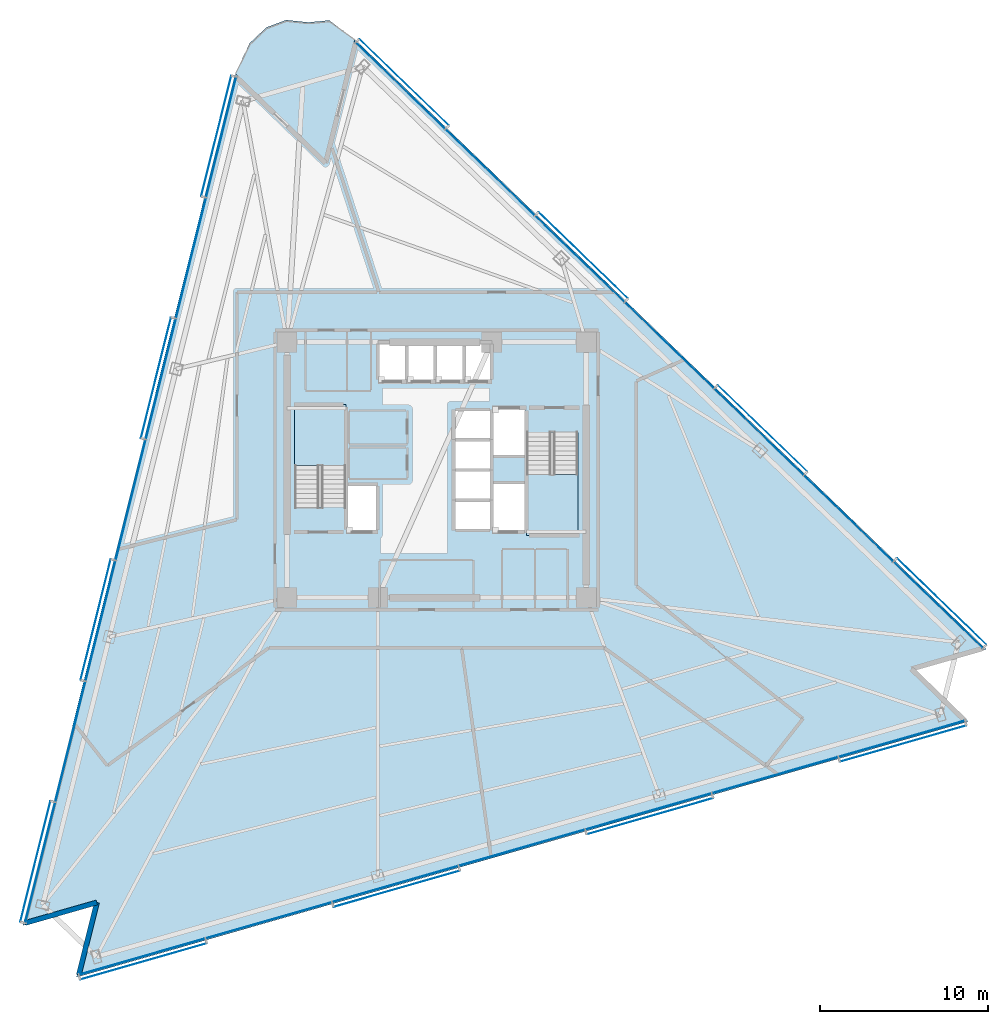
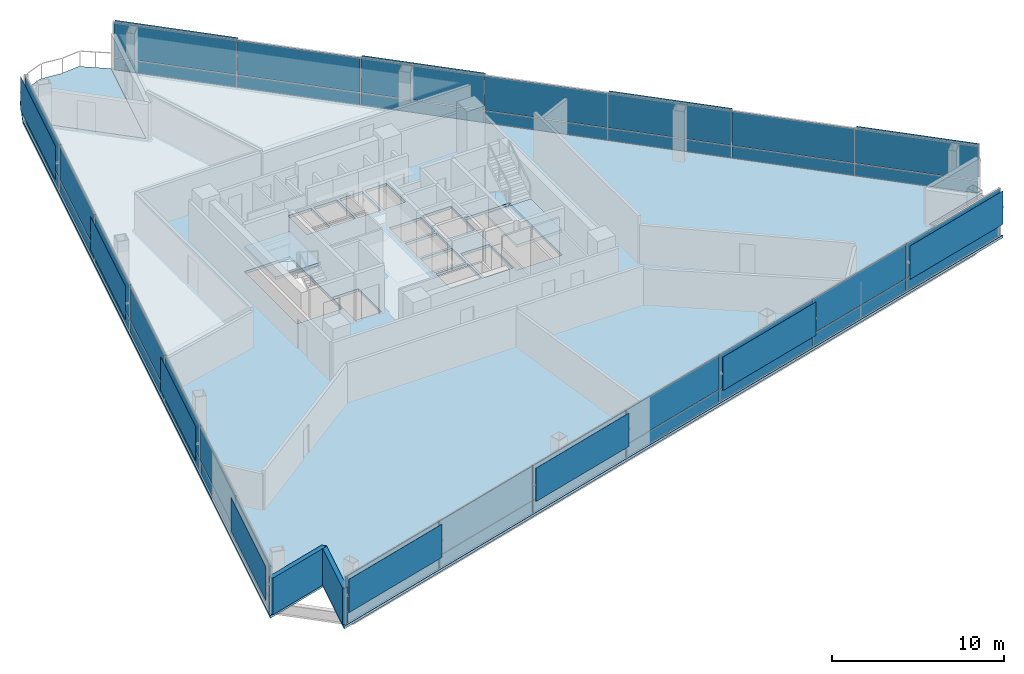
# One storey, part 8 of 18: 54 plates, 4 slabs, 2 walls, 5 elements without a shape of their own.
"""IFC4 building model written with IfcOpenShell, lengths in metres."""

import ifcopenshell
import ifcopenshell.guid

model = None  # the IFC model being written
_history = None  # IfcOwnerHistory: only IFC2X3 demands one
_inside = {}  # id of a spatial element -> (the spatial element, [elements in it])
_under = {}  # id of a project, library or spatial element -> (it, [spatial elements below it])
_declared = {}  # id of a project -> (the project, [libraries it declares])
_typed = {}  # id of a type object -> (the type object, [elements of that type])
_made_of = {}  # id of a material, layer set ... -> (it, [elements and type objects made of it])


def new_model(schema):
    """Start an empty IFC model of exactly this schema.

    Asked for "IFC4X3", IfcOpenShell would pick the latest addendum, in which some entities
    have other attributes; the version numbers below select the first issue.
    IFC2X3 requires an IfcOwnerHistory on every rooted entity: one is made here for all.
    """
    global model, _history
    if schema == "IFC4X3":
        model = ifcopenshell.file(schema_version=(4, 3, 0, 0))
    else:
        model = ifcopenshell.file(schema=schema)
    _inside.clear()
    _under.clear()
    _declared.clear()
    _typed.clear()
    _made_of.clear()
    _history = None
    if model.schema == "IFC2X3":
        org = make("IfcOrganization", Name="unknown")
        user = make(
            "IfcPersonAndOrganization",
            ThePerson=make("IfcPerson", FamilyName="unknown"),
            TheOrganization=org,
        )
        app = make(
            "IfcApplication",
            ApplicationDeveloper=org,
            Version="unknown",
            ApplicationFullName="unknown",
            ApplicationIdentifier="unknown",
        )
        _history = make(
            "IfcOwnerHistory",
            OwningUser=user,
            OwningApplication=app,
            ChangeAction="ADDED",
            CreationDate=0,
        )
    return model


def make(cls, **values):
    """One entity of the class cls with the attributes given. An attribute that is None is left unset."""
    return model.create_entity(
        cls, **{name: value for name, value in values.items() if value is not None}
    )


def rooted(cls, **values):
    """An entity with a GlobalId (a new one), such as an element, a storey or a relation."""
    return make(cls, GlobalId=ifcopenshell.guid.new(), OwnerHistory=_history, **values)


def si_unit(unit_type, name, prefix=None):
    """IfcSIUnit, for example si_unit("LENGTHUNIT", "METRE", prefix="MILLI")."""
    return make("IfcSIUnit", UnitType=unit_type, Prefix=prefix, Name=name)


def assignment(units):
    """IfcUnitAssignment: the units of a project."""
    return None if units is None else make("IfcUnitAssignment", Units=units)


def point(xyz):
    """IfcCartesianPoint."""
    return None if xyz is None else make("IfcCartesianPoint", Coordinates=xyz)


def direction(xyz):
    """IfcDirection."""
    return None if xyz is None else make("IfcDirection", DirectionRatios=xyz)


def frame(location, z_axis=None, x_axis=None):
    """IfcAxis2Placement3D, a coordinate frame: its origin and axes. An axis left out is left unset."""
    return make(
        "IfcAxis2Placement3D",
        Location=point(location),
        Axis=direction(z_axis),
        RefDirection=direction(x_axis),
    )


def frame_2d(location, x_axis=None):
    """IfcAxis2Placement2D, a coordinate frame in the plane: its origin and x axis."""
    return make(
        "IfcAxis2Placement2D", Location=point(location), RefDirection=direction(x_axis)
    )


def origin():
    """The frame at (0, 0, 0) with its axes left unset."""
    return frame((0.0, 0.0, 0.0))


def origin_2d():
    """The frame at (0, 0) in the plane with its x axis left unset."""
    return frame_2d((0.0, 0.0))


def place(relative_to, where):
    """IfcLocalPlacement: puts the frame where relative to a parent placement (None: the world)."""
    return make(
        "IfcLocalPlacement", PlacementRelTo=relative_to, RelativePlacement=where
    )


def context(
    kind, dimensions, precision=None, world=None, true_north=None, identifier=None
):
    """IfcGeometricRepresentationContext, for example the 3D "Model" context."""
    return make(
        "IfcGeometricRepresentationContext",
        ContextIdentifier=identifier,
        ContextType=kind,
        CoordinateSpaceDimension=dimensions,
        Precision=precision,
        WorldCoordinateSystem=world,
        TrueNorth=true_north,
    )


def subcontext(parent, identifier, kind, view, scale=None):
    """IfcGeometricRepresentationSubContext, for example "Body" below "Model"."""
    return make(
        "IfcGeometricRepresentationSubContext",
        ContextIdentifier=identifier,
        ContextType=kind,
        ParentContext=parent,
        TargetScale=scale,
        TargetView=view,
    )


def project(units=None, contexts=None):
    """IfcProject with its units and contexts."""
    return rooted(
        "IfcProject",
        Name="project",
        RepresentationContexts=contexts,
        UnitsInContext=assignment(units),
    )


def spatial(cls, under=None, at=None, **own):
    """A site, building, storey or space (cls), placed at a placement, below another one or the project."""
    s = rooted(cls, ObjectPlacement=at, **own)
    if under is not None:
        _under.setdefault(under.id(), (under, []))[1].append(s)
    return s


def polyline(points):
    """IfcPolyline through the points."""
    return make("IfcPolyline", Points=[point(p) for p in points])


def profile(cls, at=None, kind="AREA", **sizes):
    """A parametric profile (cls). Its sizes go by their IFC names, for example OverallWidth=200.0."""
    return make(cls, ProfileType=kind, Position=at, **sizes)


def rectangle(**sizes):
    """IfcRectangleProfileDef."""
    return profile("IfcRectangleProfileDef", **sizes)


def outline(outer, holes=None, kind="AREA"):
    """IfcArbitraryClosedProfileDef: a profile drawn as a closed curve; with holes, ...WithVoids."""
    if holes is None:
        return make("IfcArbitraryClosedProfileDef", ProfileType=kind, OuterCurve=outer)
    return make(
        "IfcArbitraryProfileDefWithVoids",
        ProfileType=kind,
        OuterCurve=outer,
        InnerCurves=holes,
    )


def extrude(swept, where, along, depth):
    """IfcExtrudedAreaSolid: the profile swept, set in the frame where, extruded along a direction by depth."""
    return make(
        "IfcExtrudedAreaSolid",
        SweptArea=swept,
        Position=where,
        ExtrudedDirection=direction(along),
        Depth=depth,
    )


def shape(context_of_items, identifier, shape_type, items):
    """IfcShapeRepresentation: the items that make up one representation, for example the "Body"."""
    return make(
        "IfcShapeRepresentation",
        ContextOfItems=context_of_items,
        RepresentationIdentifier=identifier,
        RepresentationType=shape_type,
        Items=items,
    )


def material(Name=None, Category=None):
    """IfcMaterial."""
    return make("IfcMaterial", Name=Name, Category=Category)


def layer(
    of_material, thickness, ventilated=None, Name=None, Category=None, Priority=None
):
    """IfcMaterialLayer: one layer of a wall or slab, of a material (None: an air gap)."""
    return make(
        "IfcMaterialLayer",
        Material=of_material,
        LayerThickness=thickness,
        IsVentilated=ventilated,
        Name=Name,
        Category=Category,
        Priority=Priority,
    )


def layer_set(layers, Name=None):
    """IfcMaterialLayerSet."""
    return make("IfcMaterialLayerSet", MaterialLayers=layers, LayerSetName=Name)


def made_of(thing, what):
    """Note that an element or type object is made of a material, layer set ...; save() writes the relation."""
    if what is not None:
        _made_of.setdefault(what.id(), (what, []))[1].append(thing)
    return thing


def type_object(cls, material=None, **own):
    """A type object (cls), such as IfcWallType, which elements share."""
    return made_of(rooted(cls, **own), material)


def element(
    cls,
    number,
    at=None,
    inside=None,
    cuts=None,
    type_object=None,
    material=None,
    context=None,
    identifier="Body",
    shape_type=None,
    held_by="IfcProductDefinitionShape",
    body=None,
    shapes=None,
    **own,
):
    """One element of the class cls, such as IfcWall. Its Tag is "e" and its number.

    at: its placement. inside: the storey or other place that contains it. cuts: it is an
    opening in that element (IfcRelVoidsElement). A single representation is given by context,
    identifier, shape_type and body (its items); several are given by shapes. held_by: the class
    of the entity that holds the representations. save() writes the other relations.
    """
    e = rooted(cls, Tag="e%d" % number, ObjectPlacement=at, **own)
    if body is not None:
        shapes = [shape(context, identifier, shape_type, body)]
    if shapes is not None:
        e.Representation = make(held_by, Representations=shapes)
    if inside is not None:
        _inside.setdefault(inside.id(), (inside, []))[1].append(e)
    if cuts is not None:
        rooted(
            "IfcRelVoidsElement", RelatingBuildingElement=cuts, RelatedOpeningElement=e
        )
    if type_object is not None:
        _typed.setdefault(type_object.id(), (type_object, []))[1].append(e)
    return made_of(e, material)


def aggregate(whole, parts):
    """IfcRelAggregates: a whole, such as a stair, and the parts it consists of."""
    return rooted("IfcRelAggregates", RelatingObject=whole, RelatedObjects=parts)


def save(model, path):
    """Write the relations noted so far, then the file.

    IfcRelAggregates (storeys below a building ...), IfcRelContainedInSpatialStructure (elements
    in a storey), IfcRelDefinesByType, IfcRelAssociatesMaterial and IfcRelDeclares: one each for
    every whole, place, type object, material and project.
    """
    for whole, parts in _under.values():
        aggregate(whole, parts)
    for where, things in _inside.values():
        rooted(
            "IfcRelContainedInSpatialStructure",
            RelatedElements=things,
            RelatingStructure=where,
        )
    for kind, things in _typed.values():
        rooted("IfcRelDefinesByType", RelatedObjects=things, RelatingType=kind)
    for what, things in _made_of.values():
        rooted("IfcRelAssociatesMaterial", RelatedObjects=things, RelatingMaterial=what)
    for by, libraries in _declared.values():
        rooted("IfcRelDeclares", RelatingContext=by, RelatedDefinitions=libraries)
    model.write(path)


model = new_model("IFC4")

# Units and contexts
model_context = context("Model", 3, precision=1e-05, world=origin(), true_north=direction((0.0, 1.0)))
body_context = subcontext(model_context, "Body", "Model", "MODEL_VIEW")
ifc_project = project(units=[si_unit("LENGTHUNIT", "METRE"), si_unit("AREAUNIT", "SQUARE_METRE"), si_unit("VOLUMEUNIT", "CUBIC_METRE"), si_unit("PLANEANGLEUNIT", "RADIAN"), si_unit("MASSUNIT", "GRAM", prefix="KILO")], contexts=[model_context])

# Site, building, storey
site_placement = place(None, origin())
site = spatial("IfcSite", under=ifc_project, at=site_placement, CompositionType="ELEMENT")
building_placement = place(site_placement, origin())
building = spatial("IfcBuilding", under=site, at=building_placement, Name="Tharavind Bronze Gate", CompositionType="ELEMENT")
storey_placement = place(building_placement, frame((0.0, 0.0, 100.5)))
storey = spatial("IfcBuildingStorey", under=building, at=storey_placement, Name="L25", CompositionType="ELEMENT", Elevation=100.5)

# Plates
ifc_material_1 = material(Name="Perforated Bronze Alloy", Category="bronze")
ifc_layer_1 = layer(ifc_material_1, 0.011962890625)
ifc_layer_set_1 = layer_set([ifc_layer_1], Name="Perforated Bronze Alloy")
plate_type_1 = type_object("IfcPlateType", Name="BRONZE PERFORATED SOLAR SCREEN", PredefinedType="USERDEFINED", material=ifc_layer_set_1)
for number, where, z_axis, x_axis, name in (
    (1, (-13.11669921875, 19.86865234375, 0.966552734375), (0.0, 0.0, 1.0), (-0.2419218956, -0.970295726276, 0.0), "CW-L25-S1 perforated bronze solar screen 1"),
    (2, (-16.7041015625, 5.480712890625, 0.966552734375), (0.0, 0.0, 1.0), (-0.2419218956, -0.970295726276, 0.0), "CW-L25-S1 perforated bronze solar screen 3"),
    (3, (-20.29150390625, -8.9072265625, 0.966552734375), (0.0, 0.0, 1.0), (-0.2419218956, -0.970295726276, 0.0), "CW-L25-S1 perforated bronze solar screen 5"),
    (4, (-23.878662109375, -23.295166015625, 0.966552734375), (0.0, 0.0, 1.0), (-0.2419218956, -0.970295726276, 0.0), "CW-L25-S1 perforated bronze solar screen 7"),
):
    element("IfcPlate", number, at=place(storey_placement, frame(where, z_axis=z_axis, x_axis=x_axis)), inside=storey, type_object=plate_type_1, Name=name, ObjectType="SCREEN", PredefinedType="USERDEFINED", context=body_context, shape_type="SweptSolid", body=[
        extrude(rectangle(XDim=7.394287109375, YDim=0.011962890625, at=origin_2d()), origin(), (0.0, 0.0, 1.0), 2.376953125),
    ])
for number, where, z_axis, x_axis, name in (
    (5, (-17.447509765625, -29.251220703125, 0.966552734375), (0.0, 0.0, 1.0), (0.961261695938, 0.275637355817, 0.0), "CW-L25-S2 perforated bronze solar screen 1"),
    (6, (-2.380615234375, -24.930908203125, 0.966552734375), (0.0, 0.0, 1.0), (0.961261695938, 0.275637355817, 0.0), "CW-L25-S2 perforated bronze solar screen 3"),
    (7, (12.686279296875, -20.610595703125, 0.966552734375), (0.0, 0.0, 1.0), (0.961261695938, 0.275637355817, 0.0), "CW-L25-S2 perforated bronze solar screen 5"),
    (8, (27.75341796875, -16.290283203125, 0.966552734375), (0.0, 0.0, 1.0), (0.961261695938, 0.275637355817, 0.0), "CW-L25-S2 perforated bronze solar screen 7"),
):
    element("IfcPlate", number, at=place(storey_placement, frame(where, z_axis=z_axis, x_axis=x_axis)), inside=storey, type_object=plate_type_1, Name=name, ObjectType="SCREEN", PredefinedType="USERDEFINED", context=body_context, shape_type="SweptSolid", body=[
        extrude(rectangle(XDim=7.817138671875, YDim=0.011962890625, at=origin_2d()), origin(), (0.0, 0.0, 1.0), 2.376953125),
    ])
for number, where, z_axis, x_axis, name in (
    (9, (30.05126953125, -7.8310546875, 0.966552734375), (0.0, 0.0, 1.0), (-0.719341012745, 0.694657114973, 0.0), "CW-L25-S3 perforated bronze solar screen 1"),
    (10, (19.384521484375, 2.469482421875, 0.966552734375), (0.0, 0.0, 1.0), (-0.719341012745, 0.694657114973, 0.0), "CW-L25-S3 perforated bronze solar screen 3"),
    (11, (8.718017578125, 12.770263671875, 0.966552734375), (0.0, 0.0, 1.0), (-0.719341012745, 0.694657114973, 0.0), "CW-L25-S3 perforated bronze solar screen 5"),
    (12, (-1.94873046875, 23.07080078125, 0.966552734375), (0.0, 0.0, 1.0), (-0.719341012745, 0.694657114973, 0.0), "CW-L25-S3 perforated bronze solar screen 7"),
):
    element("IfcPlate", number, at=place(storey_placement, frame(where, z_axis=z_axis, x_axis=x_axis)), inside=storey, type_object=plate_type_1, Name=name, ObjectType="SCREEN", PredefinedType="USERDEFINED", context=body_context, shape_type="SweptSolid", body=[
        extrude(rectangle(XDim=7.394287109375, YDim=0.011962890625, at=origin_2d()), origin(), (0.0, 0.0, 1.0), 2.376953125),
    ])

# Curtain wall, plates
ifc_material_2 = material(Name="Anodised Bronze Aluminium", Category="aluminium")
ifc_layer_2 = layer(ifc_material_2, 0.219970703125)
ifc_layer_set_2 = layer_set([ifc_layer_2], Name="Anodised Bronze Aluminium")
curtain_wall_type = type_object("IfcCurtainWallType", Name="UNITISED CURTAIN WALL LOWER OFFICE", PredefinedType="USERDEFINED", material=ifc_layer_set_2)
curtain_wall_1_placement = place(storey_placement, origin())
curtain_wall_1 = element("IfcCurtainWall", 13, at=curtain_wall_1_placement, inside=storey, type_object=curtain_wall_type, Name="L25 unitised curtain wall lower office CW-L25-S1", ObjectType="UNITISED CURTAIN WALL", PredefinedType="USERDEFINED")
ifc_material_3 = material(Name="Patinated Bronze Alloy Sheet", Category="bronze")
ifc_layer_3 = layer(ifc_material_3, 0.01611328125)
ifc_layer_set_3 = layer_set([ifc_layer_3], Name="Patinated Bronze Alloy Sheet")
plate_type_2 = type_object("IfcPlateType", Name="BRONZE SPANDREL CLADDING PANEL 16", PredefinedType="CURTAIN_PANEL", material=ifc_layer_set_3)
plate_1_placement = place(storey_placement, frame((-12.83056640625, 19.797119140625, 0.0263671875), z_axis=(0.0, 0.0, 1.0), x_axis=(-0.2419218956, -0.970295726276, 0.0)))
plate_1 = element("IfcPlate", 14, at=plate_1_placement, type_object=plate_type_2, Name="CW-L25-S1 bronze spandrel panel 1", PredefinedType="CURTAIN_PANEL", context=body_context, shape_type="SweptSolid", body=[
    extrude(rectangle(XDim=7.361083984375, YDim=0.01611328125, at=origin_2d()), origin(), (0.0, 0.0, 1.0), 0.846923828125),
])
plate_2_placement = place(storey_placement, frame((-14.624267578125, 12.603271484375, 0.0263671875), z_axis=(0.0, 0.0, 1.0), x_axis=(-0.2419218956, -0.970295726276, 0.0)))
plate_2 = element("IfcPlate", 15, at=plate_2_placement, type_object=plate_type_2, Name="CW-L25-S1 bronze spandrel panel 2", PredefinedType="CURTAIN_PANEL", context=body_context, shape_type="SweptSolid", body=[
    extrude(rectangle(XDim=7.361083984375, YDim=0.01611328125, at=origin_2d()), origin(), (0.0, 0.0, 1.0), 0.846923828125),
])
plate_3_placement = place(storey_placement, frame((-16.417724609375, 5.4091796875, 0.0263671875), z_axis=(0.0, 0.0, 1.0), x_axis=(-0.2419218956, -0.970295726276, 0.0)))
plate_3 = element("IfcPlate", 16, at=plate_3_placement, type_object=plate_type_2, Name="CW-L25-S1 bronze spandrel panel 3", PredefinedType="CURTAIN_PANEL", context=body_context, shape_type="SweptSolid", body=[
    extrude(rectangle(XDim=7.361083984375, YDim=0.01611328125, at=origin_2d()), origin(), (0.0, 0.0, 1.0), 0.846923828125),
])
plate_4_placement = place(storey_placement, frame((-18.21142578125, -1.78466796875, 0.0263671875), z_axis=(0.0, 0.0, 1.0), x_axis=(-0.2419218956, -0.970295726276, 0.0)))
plate_4 = element("IfcPlate", 17, at=plate_4_placement, type_object=plate_type_2, Name="CW-L25-S1 bronze spandrel panel 4", PredefinedType="CURTAIN_PANEL", context=body_context, shape_type="SweptSolid", body=[
    extrude(rectangle(XDim=7.361083984375, YDim=0.01611328125, at=origin_2d()), origin(), (0.0, 0.0, 1.0), 0.846923828125),
])
plate_5_placement = place(storey_placement, frame((-20.005126953125, -8.978759765625, 0.0263671875), z_axis=(0.0, 0.0, 1.0), x_axis=(-0.2419218956, -0.970295726276, 0.0)))
plate_5 = element("IfcPlate", 18, at=plate_5_placement, type_object=plate_type_2, Name="CW-L25-S1 bronze spandrel panel 5", PredefinedType="CURTAIN_PANEL", context=body_context, shape_type="SweptSolid", body=[
    extrude(rectangle(XDim=7.361083984375, YDim=0.01611328125, at=origin_2d()), origin(), (0.0, 0.0, 1.0), 0.846923828125),
])
plate_6_placement = place(storey_placement, frame((-21.798828125, -16.172607421875, 0.0263671875), z_axis=(0.0, 0.0, 1.0), x_axis=(-0.2419218956, -0.970295726276, 0.0)))
plate_6 = element("IfcPlate", 19, at=plate_6_placement, type_object=plate_type_2, Name="CW-L25-S1 bronze spandrel panel 6", PredefinedType="CURTAIN_PANEL", context=body_context, shape_type="SweptSolid", body=[
    extrude(rectangle(XDim=7.361083984375, YDim=0.01611328125, at=origin_2d()), origin(), (0.0, 0.0, 1.0), 0.846923828125),
])
plate_7_placement = place(storey_placement, frame((-23.592529296875, -23.36669921875, 0.0263671875), z_axis=(0.0, 0.0, 1.0), x_axis=(-0.2419218956, -0.970295726276, 0.0)))
plate_7 = element("IfcPlate", 20, at=plate_7_placement, type_object=plate_type_2, Name="CW-L25-S1 bronze spandrel panel 7", PredefinedType="CURTAIN_PANEL", context=body_context, shape_type="SweptSolid", body=[
    extrude(rectangle(XDim=7.361083984375, YDim=0.01611328125, at=origin_2d()), origin(), (0.0, 0.0, 1.0), 0.846923828125),
])

curtain_wall_2_placement = place(storey_placement, origin())
curtain_wall_2 = element("IfcCurtainWall", 21, at=curtain_wall_2_placement, inside=storey, type_object=curtain_wall_type, Name="L25 unitised curtain wall lower office CW-L25-S2", ObjectType="UNITISED CURTAIN WALL", PredefinedType="USERDEFINED")
plate_8_placement = place(storey_placement, frame((-17.52880859375, -28.9677734375, 0.0263671875), z_axis=(0.0, 0.0, 1.0), x_axis=(0.961261695938, 0.275637355817, 0.0)))
plate_8 = element("IfcPlate", 22, at=plate_8_placement, type_object=plate_type_2, Name="CW-L25-S2 bronze spandrel panel 1", PredefinedType="CURTAIN_PANEL", context=body_context, shape_type="SweptSolid", body=[
    extrude(rectangle(XDim=7.7841796875, YDim=0.01611328125, at=origin_2d()), origin(), (0.0, 0.0, 1.0), 0.846923828125),
])
plate_9_placement = place(storey_placement, frame((-9.995361328125, -26.8076171875, 0.0263671875), z_axis=(0.0, 0.0, 1.0), x_axis=(0.961261695938, 0.275637355817, 0.0)))
plate_9 = element("IfcPlate", 23, at=plate_9_placement, type_object=plate_type_2, Name="CW-L25-S2 bronze spandrel panel 2", PredefinedType="CURTAIN_PANEL", context=body_context, shape_type="SweptSolid", body=[
    extrude(rectangle(XDim=7.7841796875, YDim=0.01611328125, at=origin_2d()), origin(), (0.0, 0.0, 1.0), 0.846923828125),
])
plate_10_placement = place(storey_placement, frame((-2.4619140625, -24.647216796875, 0.0263671875), z_axis=(0.0, 0.0, 1.0), x_axis=(0.961261695938, 0.275637355817, 0.0)))
plate_10 = element("IfcPlate", 24, at=plate_10_placement, type_object=plate_type_2, Name="CW-L25-S2 bronze spandrel panel 3", PredefinedType="CURTAIN_PANEL", context=body_context, shape_type="SweptSolid", body=[
    extrude(rectangle(XDim=7.7841796875, YDim=0.01611328125, at=origin_2d()), origin(), (0.0, 0.0, 1.0), 0.846923828125),
])
plate_11_placement = place(storey_placement, frame((5.07177734375, -22.487060546875, 0.0263671875), z_axis=(0.0, 0.0, 1.0), x_axis=(0.961261695938, 0.275637355817, 0.0)))
plate_11 = element("IfcPlate", 25, at=plate_11_placement, type_object=plate_type_2, Name="CW-L25-S2 bronze spandrel panel 4", PredefinedType="CURTAIN_PANEL", context=body_context, shape_type="SweptSolid", body=[
    extrude(rectangle(XDim=7.7841796875, YDim=0.01611328125, at=origin_2d()), origin(), (0.0, 0.0, 1.0), 0.846923828125),
])
plate_12_placement = place(storey_placement, frame((12.60498046875, -20.326904296875, 0.0263671875), z_axis=(0.0, 0.0, 1.0), x_axis=(0.961261695938, 0.275637355817, 0.0)))
plate_12 = element("IfcPlate", 26, at=plate_12_placement, type_object=plate_type_2, Name="CW-L25-S2 bronze spandrel panel 5", PredefinedType="CURTAIN_PANEL", context=body_context, shape_type="SweptSolid", body=[
    extrude(rectangle(XDim=7.7841796875, YDim=0.01611328125, at=origin_2d()), origin(), (0.0, 0.0, 1.0), 0.846923828125),
])
plate_13_placement = place(storey_placement, frame((20.138671875, -18.166748046875, 0.0263671875), z_axis=(0.0, 0.0, 1.0), x_axis=(0.961261695938, 0.275637355817, 0.0)))
plate_13 = element("IfcPlate", 27, at=plate_13_placement, type_object=plate_type_2, Name="CW-L25-S2 bronze spandrel panel 6", PredefinedType="CURTAIN_PANEL", context=body_context, shape_type="SweptSolid", body=[
    extrude(rectangle(XDim=7.7841796875, YDim=0.01611328125, at=origin_2d()), origin(), (0.0, 0.0, 1.0), 0.846923828125),
])
plate_14_placement = place(storey_placement, frame((27.672119140625, -16.006591796875, 0.0263671875), z_axis=(0.0, 0.0, 1.0), x_axis=(0.961261695938, 0.275637355817, 0.0)))
plate_14 = element("IfcPlate", 28, at=plate_14_placement, type_object=plate_type_2, Name="CW-L25-S2 bronze spandrel panel 7", PredefinedType="CURTAIN_PANEL", context=body_context, shape_type="SweptSolid", body=[
    extrude(rectangle(XDim=7.7841796875, YDim=0.01611328125, at=origin_2d()), origin(), (0.0, 0.0, 1.0), 0.846923828125),
])

curtain_wall_3_placement = place(storey_placement, origin())
curtain_wall_3 = element("IfcCurtainWall", 29, at=curtain_wall_3_placement, inside=storey, type_object=curtain_wall_type, Name="L25 unitised curtain wall lower office CW-L25-S3", ObjectType="UNITISED CURTAIN WALL", PredefinedType="USERDEFINED")
plate_15_placement = place(storey_placement, frame((29.84619140625, -8.043212890625, 0.0263671875), z_axis=(0.0, 0.0, 1.0), x_axis=(-0.719341012745, 0.694657114973, 0.0)))
plate_15 = element("IfcPlate", 30, at=plate_15_placement, type_object=plate_type_2, Name="CW-L25-S3 bronze spandrel panel 1", PredefinedType="CURTAIN_PANEL", context=body_context, shape_type="SweptSolid", body=[
    extrude(rectangle(XDim=7.361083984375, YDim=0.01611328125, at=origin_2d()), origin(), (0.0, 0.0, 1.0), 0.846923828125),
])
plate_16_placement = place(storey_placement, frame((24.512939453125, -2.892822265625, 0.0263671875), z_axis=(0.0, 0.0, 1.0), x_axis=(-0.719341012745, 0.694657114973, 0.0)))
plate_16 = element("IfcPlate", 31, at=plate_16_placement, type_object=plate_type_2, Name="CW-L25-S3 bronze spandrel panel 2", PredefinedType="CURTAIN_PANEL", context=body_context, shape_type="SweptSolid", body=[
    extrude(rectangle(XDim=7.361083984375, YDim=0.01611328125, at=origin_2d()), origin(), (0.0, 0.0, 1.0), 0.846923828125),
])
plate_17_placement = place(storey_placement, frame((19.1796875, 2.25732421875, 0.0263671875), z_axis=(0.0, 0.0, 1.0), x_axis=(-0.719341012745, 0.694657114973, 0.0)))
plate_17 = element("IfcPlate", 32, at=plate_17_placement, type_object=plate_type_2, Name="CW-L25-S3 bronze spandrel panel 3", PredefinedType="CURTAIN_PANEL", context=body_context, shape_type="SweptSolid", body=[
    extrude(rectangle(XDim=7.361083984375, YDim=0.01611328125, at=origin_2d()), origin(), (0.0, 0.0, 1.0), 0.846923828125),
])
plate_18_placement = place(storey_placement, frame((13.84619140625, 7.40771484375, 0.0263671875), z_axis=(0.0, 0.0, 1.0), x_axis=(-0.719341012745, 0.694657114973, 0.0)))
plate_18 = element("IfcPlate", 33, at=plate_18_placement, type_object=plate_type_2, Name="CW-L25-S3 bronze spandrel panel 4", PredefinedType="CURTAIN_PANEL", context=body_context, shape_type="SweptSolid", body=[
    extrude(rectangle(XDim=7.361083984375, YDim=0.01611328125, at=origin_2d()), origin(), (0.0, 0.0, 1.0), 0.846923828125),
])
plate_19_placement = place(storey_placement, frame((8.512939453125, 12.55810546875, 0.0263671875), z_axis=(0.0, 0.0, 1.0), x_axis=(-0.719341012745, 0.694657114973, 0.0)))
plate_19 = element("IfcPlate", 34, at=plate_19_placement, type_object=plate_type_2, Name="CW-L25-S3 bronze spandrel panel 5", PredefinedType="CURTAIN_PANEL", context=body_context, shape_type="SweptSolid", body=[
    extrude(rectangle(XDim=7.361083984375, YDim=0.01611328125, at=origin_2d()), origin(), (0.0, 0.0, 1.0), 0.846923828125),
])
plate_20_placement = place(storey_placement, frame((3.1796875, 17.70849609375, 0.0263671875), z_axis=(0.0, 0.0, 1.0), x_axis=(-0.719341012745, 0.694657114973, 0.0)))
plate_20 = element("IfcPlate", 35, at=plate_20_placement, type_object=plate_type_2, Name="CW-L25-S3 bronze spandrel panel 6", PredefinedType="CURTAIN_PANEL", context=body_context, shape_type="SweptSolid", body=[
    extrude(rectangle(XDim=7.361083984375, YDim=0.01611328125, at=origin_2d()), origin(), (0.0, 0.0, 1.0), 0.846923828125),
])
plate_21_placement = place(storey_placement, frame((-2.15380859375, 22.858642578125, 0.0263671875), z_axis=(0.0, 0.0, 1.0), x_axis=(-0.719341012745, 0.694657114973, 0.0)))
plate_21 = element("IfcPlate", 36, at=plate_21_placement, type_object=plate_type_2, Name="CW-L25-S3 bronze spandrel panel 7", PredefinedType="CURTAIN_PANEL", context=body_context, shape_type="SweptSolid", body=[
    extrude(rectangle(XDim=7.361083984375, YDim=0.01611328125, at=origin_2d()), origin(), (0.0, 0.0, 1.0), 0.846923828125),
])

# Plate
ifc_material_4 = material(Name="Low-E Double Glazing", Category="glass")
ifc_layer_4 = layer(ifc_material_4, 0.031982421875)
ifc_layer_set_4 = layer_set([ifc_layer_4], Name="Low-E Double Glazing")
plate_type_3 = type_object("IfcPlateType", Name="DOUBLE GLAZED FACADE PANEL 32", PredefinedType="CURTAIN_PANEL", material=ifc_layer_set_4)
plate_22_placement = place(storey_placement, frame((-12.83056640625, 19.797119140625, 0.926513671875), z_axis=(0.0, 0.0, 1.0), x_axis=(-0.2419218956, -0.970295726276, 0.0)))
plate_22 = element("IfcPlate", 37, at=plate_22_placement, type_object=plate_type_3, Name="CW-L25-S1 vision glazing panel 1", PredefinedType="CURTAIN_PANEL", context=body_context, shape_type="SweptSolid", body=[
    extrude(rectangle(XDim=7.361083984375, YDim=0.031982421875, at=origin_2d()), origin(), (0.0, 0.0, 1.0), 2.45703125),
])

plate_23_placement = place(storey_placement, frame((-14.624267578125, 12.603271484375, 0.926513671875), z_axis=(0.0, 0.0, 1.0), x_axis=(-0.2419218956, -0.970295726276, 0.0)))
plate_23 = element("IfcPlate", 38, at=plate_23_placement, type_object=plate_type_3, Name="CW-L25-S1 vision glazing panel 2", PredefinedType="CURTAIN_PANEL", context=body_context, shape_type="SweptSolid", body=[
    extrude(rectangle(XDim=7.361083984375, YDim=0.031982421875, at=origin_2d()), origin(), (0.0, 0.0, 1.0), 2.45703125),
])

plate_24_placement = place(storey_placement, frame((-16.417724609375, 5.4091796875, 0.926513671875), z_axis=(0.0, 0.0, 1.0), x_axis=(-0.2419218956, -0.970295726276, 0.0)))
plate_24 = element("IfcPlate", 39, at=plate_24_placement, type_object=plate_type_3, Name="CW-L25-S1 vision glazing panel 3", PredefinedType="CURTAIN_PANEL", context=body_context, shape_type="SweptSolid", body=[
    extrude(rectangle(XDim=7.361083984375, YDim=0.031982421875, at=origin_2d()), origin(), (0.0, 0.0, 1.0), 2.45703125),
])

plate_25_placement = place(storey_placement, frame((-18.21142578125, -1.78466796875, 0.926513671875), z_axis=(0.0, 0.0, 1.0), x_axis=(-0.2419218956, -0.970295726276, 0.0)))
plate_25 = element("IfcPlate", 40, at=plate_25_placement, type_object=plate_type_3, Name="CW-L25-S1 vision glazing panel 4", PredefinedType="CURTAIN_PANEL", context=body_context, shape_type="SweptSolid", body=[
    extrude(rectangle(XDim=7.361083984375, YDim=0.031982421875, at=origin_2d()), origin(), (0.0, 0.0, 1.0), 2.45703125),
])

plate_26_placement = place(storey_placement, frame((-20.005126953125, -8.978759765625, 0.926513671875), z_axis=(0.0, 0.0, 1.0), x_axis=(-0.2419218956, -0.970295726276, 0.0)))
plate_26 = element("IfcPlate", 41, at=plate_26_placement, type_object=plate_type_3, Name="CW-L25-S1 vision glazing panel 5", PredefinedType="CURTAIN_PANEL", context=body_context, shape_type="SweptSolid", body=[
    extrude(rectangle(XDim=7.361083984375, YDim=0.031982421875, at=origin_2d()), origin(), (0.0, 0.0, 1.0), 2.45703125),
])

plate_27_placement = place(storey_placement, frame((-21.798828125, -16.172607421875, 0.926513671875), z_axis=(0.0, 0.0, 1.0), x_axis=(-0.2419218956, -0.970295726276, 0.0)))
plate_27 = element("IfcPlate", 42, at=plate_27_placement, type_object=plate_type_3, Name="CW-L25-S1 vision glazing panel 6", PredefinedType="CURTAIN_PANEL", context=body_context, shape_type="SweptSolid", body=[
    extrude(rectangle(XDim=7.361083984375, YDim=0.031982421875, at=origin_2d()), origin(), (0.0, 0.0, 1.0), 2.45703125),
])

plate_28_placement = place(storey_placement, frame((-23.592529296875, -23.36669921875, 0.926513671875), z_axis=(0.0, 0.0, 1.0), x_axis=(-0.2419218956, -0.970295726276, 0.0)))
plate_28 = element("IfcPlate", 43, at=plate_28_placement, type_object=plate_type_3, Name="CW-L25-S1 vision glazing panel 7", PredefinedType="CURTAIN_PANEL", context=body_context, shape_type="SweptSolid", body=[
    extrude(rectangle(XDim=7.361083984375, YDim=0.031982421875, at=origin_2d()), origin(), (0.0, 0.0, 1.0), 2.45703125),
])

aggregate(curtain_wall_1, [plate_1, plate_22, plate_2, plate_23, plate_3, plate_24, plate_4, plate_25, plate_5, plate_26, plate_6, plate_27, plate_7, plate_28])

plate_29_placement = place(storey_placement, frame((-17.52880859375, -28.9677734375, 0.926513671875), z_axis=(0.0, 0.0, 1.0), x_axis=(0.961261695938, 0.275637355817, 0.0)))
plate_29 = element("IfcPlate", 44, at=plate_29_placement, type_object=plate_type_3, Name="CW-L25-S2 vision glazing panel 1", PredefinedType="CURTAIN_PANEL", context=body_context, shape_type="SweptSolid", body=[
    extrude(rectangle(XDim=7.7841796875, YDim=0.031982421875, at=origin_2d()), origin(), (0.0, 0.0, 1.0), 2.45703125),
])

plate_30_placement = place(storey_placement, frame((-9.995361328125, -26.8076171875, 0.926513671875), z_axis=(0.0, 0.0, 1.0), x_axis=(0.961261695938, 0.275637355817, 0.0)))
plate_30 = element("IfcPlate", 45, at=plate_30_placement, type_object=plate_type_3, Name="CW-L25-S2 vision glazing panel 2", PredefinedType="CURTAIN_PANEL", context=body_context, shape_type="SweptSolid", body=[
    extrude(rectangle(XDim=7.7841796875, YDim=0.031982421875, at=origin_2d()), origin(), (0.0, 0.0, 1.0), 2.45703125),
])

plate_31_placement = place(storey_placement, frame((-2.4619140625, -24.647216796875, 0.926513671875), z_axis=(0.0, 0.0, 1.0), x_axis=(0.961261695938, 0.275637355817, 0.0)))
plate_31 = element("IfcPlate", 46, at=plate_31_placement, type_object=plate_type_3, Name="CW-L25-S2 vision glazing panel 3", PredefinedType="CURTAIN_PANEL", context=body_context, shape_type="SweptSolid", body=[
    extrude(rectangle(XDim=7.7841796875, YDim=0.031982421875, at=origin_2d()), origin(), (0.0, 0.0, 1.0), 2.45703125),
])

plate_32_placement = place(storey_placement, frame((5.07177734375, -22.487060546875, 0.926513671875), z_axis=(0.0, 0.0, 1.0), x_axis=(0.961261695938, 0.275637355817, 0.0)))
plate_32 = element("IfcPlate", 47, at=plate_32_placement, type_object=plate_type_3, Name="CW-L25-S2 vision glazing panel 4", PredefinedType="CURTAIN_PANEL", context=body_context, shape_type="SweptSolid", body=[
    extrude(rectangle(XDim=7.7841796875, YDim=0.031982421875, at=origin_2d()), origin(), (0.0, 0.0, 1.0), 2.45703125),
])

plate_33_placement = place(storey_placement, frame((12.60498046875, -20.326904296875, 0.926513671875), z_axis=(0.0, 0.0, 1.0), x_axis=(0.961261695938, 0.275637355817, 0.0)))
plate_33 = element("IfcPlate", 48, at=plate_33_placement, type_object=plate_type_3, Name="CW-L25-S2 vision glazing panel 5", PredefinedType="CURTAIN_PANEL", context=body_context, shape_type="SweptSolid", body=[
    extrude(rectangle(XDim=7.7841796875, YDim=0.031982421875, at=origin_2d()), origin(), (0.0, 0.0, 1.0), 2.45703125),
])

plate_34_placement = place(storey_placement, frame((20.138671875, -18.166748046875, 0.926513671875), z_axis=(0.0, 0.0, 1.0), x_axis=(0.961261695938, 0.275637355817, 0.0)))
plate_34 = element("IfcPlate", 49, at=plate_34_placement, type_object=plate_type_3, Name="CW-L25-S2 vision glazing panel 6", PredefinedType="CURTAIN_PANEL", context=body_context, shape_type="SweptSolid", body=[
    extrude(rectangle(XDim=7.7841796875, YDim=0.031982421875, at=origin_2d()), origin(), (0.0, 0.0, 1.0), 2.45703125),
])

plate_35_placement = place(storey_placement, frame((27.672119140625, -16.006591796875, 0.926513671875), z_axis=(0.0, 0.0, 1.0), x_axis=(0.961261695938, 0.275637355817, 0.0)))
plate_35 = element("IfcPlate", 50, at=plate_35_placement, type_object=plate_type_3, Name="CW-L25-S2 vision glazing panel 7", PredefinedType="CURTAIN_PANEL", context=body_context, shape_type="SweptSolid", body=[
    extrude(rectangle(XDim=7.7841796875, YDim=0.031982421875, at=origin_2d()), origin(), (0.0, 0.0, 1.0), 2.45703125),
])

aggregate(curtain_wall_2, [plate_8, plate_29, plate_9, plate_30, plate_10, plate_31, plate_11, plate_32, plate_12, plate_33, plate_13, plate_34, plate_14, plate_35])

plate_36_placement = place(storey_placement, frame((29.84619140625, -8.043212890625, 0.926513671875), z_axis=(0.0, 0.0, 1.0), x_axis=(-0.719341012745, 0.694657114973, 0.0)))
plate_36 = element("IfcPlate", 51, at=plate_36_placement, type_object=plate_type_3, Name="CW-L25-S3 vision glazing panel 1", PredefinedType="CURTAIN_PANEL", context=body_context, shape_type="SweptSolid", body=[
    extrude(rectangle(XDim=7.361083984375, YDim=0.031982421875, at=origin_2d()), origin(), (0.0, 0.0, 1.0), 2.45703125),
])

plate_37_placement = place(storey_placement, frame((24.512939453125, -2.892822265625, 0.926513671875), z_axis=(0.0, 0.0, 1.0), x_axis=(-0.719341012745, 0.694657114973, 0.0)))
plate_37 = element("IfcPlate", 52, at=plate_37_placement, type_object=plate_type_3, Name="CW-L25-S3 vision glazing panel 2", PredefinedType="CURTAIN_PANEL", context=body_context, shape_type="SweptSolid", body=[
    extrude(rectangle(XDim=7.361083984375, YDim=0.031982421875, at=origin_2d()), origin(), (0.0, 0.0, 1.0), 2.45703125),
])

plate_38_placement = place(storey_placement, frame((19.1796875, 2.25732421875, 0.926513671875), z_axis=(0.0, 0.0, 1.0), x_axis=(-0.719341012745, 0.694657114973, 0.0)))
plate_38 = element("IfcPlate", 53, at=plate_38_placement, type_object=plate_type_3, Name="CW-L25-S3 vision glazing panel 3", PredefinedType="CURTAIN_PANEL", context=body_context, shape_type="SweptSolid", body=[
    extrude(rectangle(XDim=7.361083984375, YDim=0.031982421875, at=origin_2d()), origin(), (0.0, 0.0, 1.0), 2.45703125),
])

plate_39_placement = place(storey_placement, frame((13.84619140625, 7.40771484375, 0.926513671875), z_axis=(0.0, 0.0, 1.0), x_axis=(-0.719341012745, 0.694657114973, 0.0)))
plate_39 = element("IfcPlate", 54, at=plate_39_placement, type_object=plate_type_3, Name="CW-L25-S3 vision glazing panel 4", PredefinedType="CURTAIN_PANEL", context=body_context, shape_type="SweptSolid", body=[
    extrude(rectangle(XDim=7.361083984375, YDim=0.031982421875, at=origin_2d()), origin(), (0.0, 0.0, 1.0), 2.45703125),
])

plate_40_placement = place(storey_placement, frame((8.512939453125, 12.55810546875, 0.926513671875), z_axis=(0.0, 0.0, 1.0), x_axis=(-0.719341012745, 0.694657114973, 0.0)))
plate_40 = element("IfcPlate", 55, at=plate_40_placement, type_object=plate_type_3, Name="CW-L25-S3 vision glazing panel 5", PredefinedType="CURTAIN_PANEL", context=body_context, shape_type="SweptSolid", body=[
    extrude(rectangle(XDim=7.361083984375, YDim=0.031982421875, at=origin_2d()), origin(), (0.0, 0.0, 1.0), 2.45703125),
])

plate_41_placement = place(storey_placement, frame((3.1796875, 17.70849609375, 0.926513671875), z_axis=(0.0, 0.0, 1.0), x_axis=(-0.719341012745, 0.694657114973, 0.0)))
plate_41 = element("IfcPlate", 56, at=plate_41_placement, type_object=plate_type_3, Name="CW-L25-S3 vision glazing panel 6", PredefinedType="CURTAIN_PANEL", context=body_context, shape_type="SweptSolid", body=[
    extrude(rectangle(XDim=7.361083984375, YDim=0.031982421875, at=origin_2d()), origin(), (0.0, 0.0, 1.0), 2.45703125),
])

plate_42_placement = place(storey_placement, frame((-2.15380859375, 22.858642578125, 0.926513671875), z_axis=(0.0, 0.0, 1.0), x_axis=(-0.719341012745, 0.694657114973, 0.0)))
plate_42 = element("IfcPlate", 57, at=plate_42_placement, type_object=plate_type_3, Name="CW-L25-S3 vision glazing panel 7", PredefinedType="CURTAIN_PANEL", context=body_context, shape_type="SweptSolid", body=[
    extrude(rectangle(XDim=7.361083984375, YDim=0.031982421875, at=origin_2d()), origin(), (0.0, 0.0, 1.0), 2.45703125),
])

aggregate(curtain_wall_3, [plate_15, plate_36, plate_16, plate_37, plate_17, plate_38, plate_18, plate_39, plate_19, plate_40, plate_20, plate_41, plate_21, plate_42])

# Slab
ifc_material_5 = material(Name="Concrete C40/50", Category="concrete")
ifc_layer_5 = layer(ifc_material_5, 0.179931640625)
ifc_layer_set_5 = layer_set([ifc_layer_5], Name="Concrete C40/50")
slab_type_1 = type_object("IfcSlabType", Name="EXTERIOR BALCONY SLAB 180", PredefinedType="FLOOR", material=ifc_layer_set_5)
slab_1_placement = place(storey_placement, frame((0.0, 0.0, -0.179931640625)))
element("IfcSlab", 58, at=slab_1_placement, inside=storey, type_object=slab_type_1, Name="L25 northeast tree balcony slab", PredefinedType="FLOOR", context=body_context, shape_type="SweptSolid", body=[
    extrude(outline(polyline([(-6.388427734375, 26.752685546875), (-7.6376953125, 26.63525390625), (-8.960693359375, 26.7744140625), (-10.118896484375, 26.33935546875), (-11.130615234375, 25.39306640625), (-11.98876953125, 23.58642578125), (-6.665771484375, 18.446044921875), (-4.87548828125, 25.626220703125), (-6.388427734375, 26.752685546875)])), origin(), (0.0, 0.0, 1.0), 0.179931640625),
])

# Stair, slab
stair_type = type_object("IfcStairType", Name="CORE HALF TURN STAIR 1450", PredefinedType="HALF_TURN_STAIR", material=ifc_material_5)
stair_1_placement = place(storey_placement, origin())
stair_1 = element("IfcStair", 59, at=stair_1_placement, inside=storey, type_object=stair_type, Name="L25 Protected Exit Stair ST1", PredefinedType="HALF_TURN_STAIR")
ifc_layer_6 = layer(ifc_material_5, 0.199951171875)
ifc_layer_set_6 = layer_set([ifc_layer_6], Name="Concrete C40/50")
slab_type_2 = type_object("IfcSlabType", Name="STAIR LANDING SLAB 200", PredefinedType="LANDING", material=ifc_layer_set_6)
slab_2_placement = place(storey_placement, frame((0.0, 0.0, 1.60009765625)))
slab_2 = element("IfcSlab", 60, at=slab_2_placement, type_object=slab_type_2, Name="ST1 landing 1", PredefinedType="LANDING", context=body_context, shape_type="SweptSolid", body=[
    extrude(outline(polyline([(-5.39990234375, 0.27001953125), (-5.39990234375, 3.89990234375), (-8.449951171875, 3.89990234375), (-8.449951171875, 0.27001953125), (-5.39990234375, 0.27001953125)])), origin(), (0.0, 0.0, 1.0), 0.199951171875),
])
aggregate(stair_1, [slab_2])

stair_2_placement = place(storey_placement, origin())
stair_2 = element("IfcStair", 61, at=stair_2_placement, inside=storey, type_object=stair_type, Name="L25 Protected Exit Stair ST2", PredefinedType="HALF_TURN_STAIR")
slab_3_placement = place(storey_placement, frame((0.0, 0.0, 1.60009765625)))
slab_3 = element("IfcSlab", 62, at=slab_3_placement, type_object=slab_type_2, Name="ST2 landing 1", PredefinedType="LANDING", context=body_context, shape_type="SweptSolid", body=[
    extrude(outline(polyline([(5.35009765625, -0.27001953125), (5.35009765625, -3.89990234375), (8.39990234375, -3.89990234375), (8.39990234375, -0.27001953125), (5.35009765625, -0.27001953125)])), origin(), (0.0, 0.0, 1.0), 0.199951171875),
])
aggregate(stair_2, [slab_3])

# Slab
ifc_layer_7 = layer(ifc_material_5, 0.18994140625)
ifc_layer_set_7 = layer_set([ifc_layer_7], Name="Concrete C40/50")
slab_type_3 = type_object("IfcSlabType", Name="STRUCTURAL FLOOR SLAB 190", PredefinedType="FLOOR", material=ifc_layer_set_7)
slab_4_placement = place(storey_placement, frame((0.0, 0.0, -0.18994140625)))
element("IfcSlab", 63, at=slab_4_placement, inside=storey, type_object=slab_type_3, Name="L25 main structural floor slab", PredefinedType="FLOOR", context=body_context, shape_type="SweptSolid", body=[
    extrude(outline(polyline([(-4.87548828125, 25.626220703125), (-6.665771484375, 18.446044921875), (-11.98876953125, 23.58642578125), (-24.628173828125, -27.107421875), (-20.360107421875, -25.883544921875), (-21.434326171875, -30.191650390625), (31.6328125, -14.974853515625), (28.439208984375, -11.890625), (32.70703125, -10.666748046875), (-4.87548828125, 25.626220703125)]), holes=[polyline([(-5.39990234375, -2.215087890625), (-5.39990234375, 3.89990234375), (-8.449951171875, 3.89990234375), (-8.449951171875, -2.215087890625), (-5.39990234375, -2.215087890625)]), polyline([(5.35009765625, 2.215087890625), (5.35009765625, -3.89990234375), (8.39990234375, -3.89990234375), (8.39990234375, 2.215087890625), (5.35009765625, 2.215087890625)]), polyline([(-3.419921875, 5.330078125), (-1.867431640625, 5.330078125), (-1.867431640625, 7.52001953125), (-3.419921875, 7.52001953125), (-3.419921875, 5.330078125)]), polyline([(-1.70751953125, 5.330078125), (-0.155029296875, 5.330078125), (-0.155029296875, 7.52001953125), (-1.70751953125, 7.52001953125), (-1.70751953125, 5.330078125)]), polyline([(0.0048828125, 5.330078125), (1.5576171875, 5.330078125), (1.5576171875, 7.52001953125), (0.0048828125, 7.52001953125), (0.0048828125, 5.330078125)]), polyline([(1.717529296875, 5.330078125), (3.199951171875, 5.330078125), (3.199951171875, 7.52001953125), (1.717529296875, 7.52001953125), (1.717529296875, 5.330078125)]), polyline([(1.080078125, -3.52001953125), (3.199951171875, -3.52001953125), (3.199951171875, -1.8798828125), (1.080078125, -1.8798828125), (1.080078125, -3.52001953125)]), polyline([(1.080078125, -1.719970703125), (3.199951171875, -1.719970703125), (3.199951171875, -0.080078125), (1.080078125, -0.080078125), (1.080078125, -1.719970703125)]), polyline([(1.080078125, 0.080078125), (3.199951171875, 0.080078125), (3.199951171875, 1.719970703125), (1.080078125, 1.719970703125), (1.080078125, 0.080078125)]), polyline([(1.080078125, 1.8798828125), (3.199951171875, 1.8798828125), (3.199951171875, 3.52001953125), (1.080078125, 3.52001953125), (1.080078125, 1.8798828125)]), polyline([(-5.320068359375, -3.6201171875), (-3.580078125, -3.6201171875), (-3.580078125, -0.929931640625), (-5.320068359375, -0.929931640625), (-5.320068359375, -3.6201171875)]), polyline([(3.360107421875, 0.8798828125), (5.27001953125, 0.8798828125), (5.27001953125, 3.6201171875), (3.360107421875, 3.6201171875), (3.360107421875, 0.8798828125)]), polyline([(3.360107421875, -3.6201171875), (5.27001953125, -3.6201171875), (5.27001953125, -0.830078125), (3.360107421875, -0.830078125), (3.360107421875, -3.6201171875)])]), origin(), (0.0, 0.0, 1.0), 0.18994140625),
])

# Walls
ifc_layer_8 = layer(ifc_material_5, 0.300048828125)
ifc_layer_set_8 = layer_set([ifc_layer_8], Name="Concrete C40/50")
wall_type = type_object("IfcWallType", Name="EXTERIOR SPANDREL WALL 300", PredefinedType="STANDARD", material=ifc_layer_set_8)
wall_1_placement = place(storey_placement, frame((-24.4892578125, -26.963623046875, 0.0), z_axis=(0.0, 0.0, 1.0), x_axis=(0.961259988927, 0.275643308803, 0.0)))
element("IfcWall", 64, at=wall_1_placement, inside=storey, type_object=wall_type, Name="L25 notch cheek wall 2A", PredefinedType="STANDARD", context=body_context, shape_type="SweptSolid", body=[
    extrude(rectangle(XDim=4.440185546875, YDim=0.300048828125, at=frame_2d((2.22021484375, 0.0))), origin(), (0.0, 0.0, 1.0), 2.60498046875),
])
wall_2_placement = place(storey_placement, frame((-20.22119140625, -25.73974609375, 0.0), z_axis=(0.0, 0.0, 1.0), x_axis=(-0.241940431812, -0.970291104491, 0.0)))
element("IfcWall", 65, at=wall_2_placement, inside=storey, type_object=wall_type, Name="L25 notch cheek wall 2B", PredefinedType="STANDARD", context=body_context, shape_type="SweptSolid", body=[
    extrude(rectangle(XDim=4.43994140625, YDim=0.300048828125, at=frame_2d((2.219970703125, 0.0))), origin(), (0.0, 0.0, 1.0), 2.60498046875),
])

save(model, "model.ifc")
